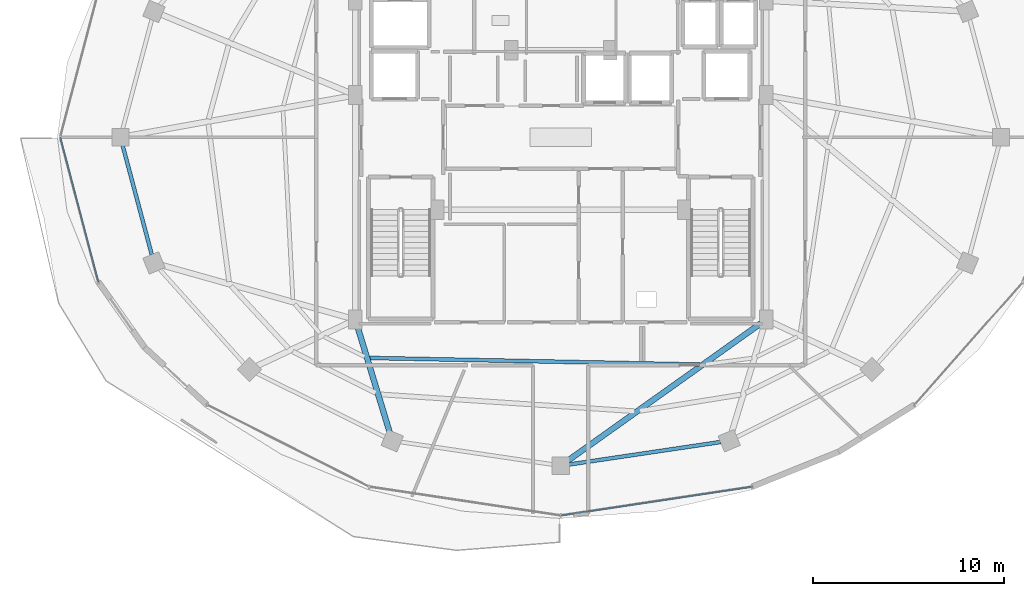
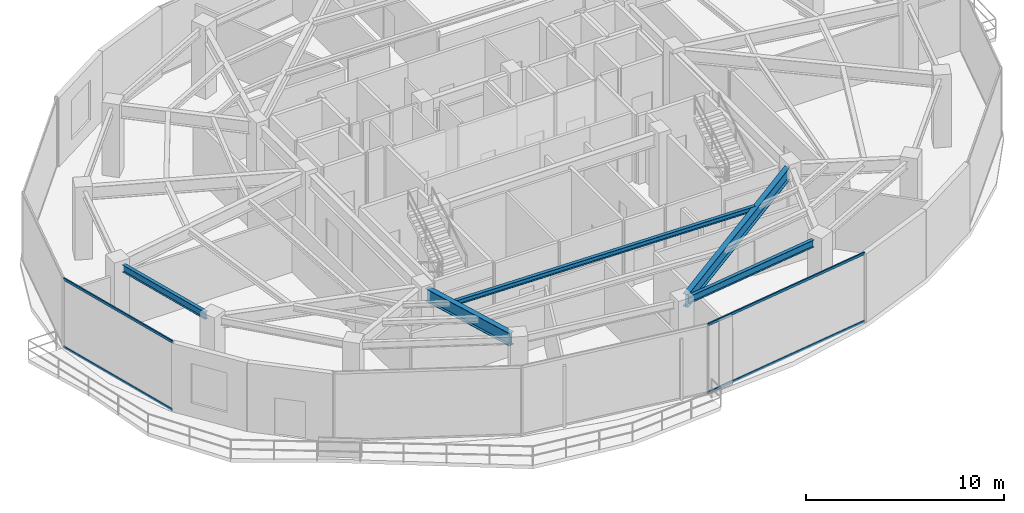
# One storey, part 6 of 27: 5 beams, 4 members, 2 elements without a shape of their own.
"""IFC4 building model written with IfcOpenShell, lengths in metres."""

from ifc_helpers import new_model, si_unit, direction, frame, origin, origin_2d, place, context, subcontext, project, spatial, hollow_rectangle, i_section, extrude, material, material_profile, profile_set, type_object, element, aggregate, save


model = new_model("IFC4")

# Units and contexts
model_context = context("Model", 3, precision=1e-05, world=origin(), true_north=direction((0.0, 1.0)))
body_context = subcontext(model_context, "Body", "Model", "MODEL_VIEW")
ifc_project = project(units=[si_unit("LENGTHUNIT", "METRE"), si_unit("AREAUNIT", "SQUARE_METRE"), si_unit("VOLUMEUNIT", "CUBIC_METRE"), si_unit("PLANEANGLEUNIT", "RADIAN"), si_unit("MASSUNIT", "GRAM", prefix="KILO")], contexts=[model_context])

# Site, building, storey
site_placement = place(None, origin())
site = spatial("IfcSite", under=ifc_project, at=site_placement, CompositionType="ELEMENT")
building_placement = place(site_placement, origin())
building = spatial("IfcBuilding", under=site, at=building_placement, Name="Vorneva Point Tower", CompositionType="ELEMENT")
storey_placement = place(building_placement, frame((0.0, 0.0, 229.75)))
storey = spatial("IfcBuildingStorey", under=building, at=storey_placement, Name="L62", CompositionType="ELEMENT", Elevation=229.75)

# Beams
ifc_material_1 = material(Name="Steel S355", Category="steel")
ifc_material_profile_1 = material_profile(ifc_material_1, i_section(OverallWidth=0.300048828125, OverallDepth=0.7880859375, WebThickness=0.014404296875, FlangeThickness=0.02197265625, at=origin_2d()), Name="80Sh1")
ifc_profile_set_1 = profile_set([ifc_material_profile_1], Name="Steel S355")
beam_type_1 = type_object("IfcBeamType", Name="BM-GRD-80Sh1", PredefinedType="USERDEFINED", material=ifc_profile_set_1)
beam_1_placement = place(storey_placement, frame((29.051513671875, 10.5283203125, 3.845947265625), z_axis=(-0.291025429135, 0.956715317948, 0.0), x_axis=(-0.956715317948, -0.291025429135, 0.0)))
element("IfcBeam", 1, at=beam_1_placement, inside=storey, type_object=beam_type_1, Name="L62 Radial Primary Girder 12", ObjectType="GIRDER", PredefinedType="USERDEFINED", context=body_context, shape_type="SweptSolid", body=[
    extrude(i_section(OverallWidth=0.300048828125, OverallDepth=0.7880859375, WebThickness=0.014404296875, FlangeThickness=0.02197265625, at=origin_2d()), origin(), (0.0, 0.0, 1.0), 5.849609375),
])
beam_2_placement = place(storey_placement, frame((38.35693359375, 9.053955078125, 3.845947265625), z_axis=(0.814749933852, 0.579812508737, 0.0), x_axis=(-0.579812508737, 0.814749933852, 0.0)))
element("IfcBeam", 2, at=beam_2_placement, inside=storey, type_object=beam_type_1, Name="L62 Radial Primary Girder 13", ObjectType="GIRDER", PredefinedType="USERDEFINED", context=body_context, shape_type="SweptSolid", body=[
    extrude(i_section(OverallWidth=0.300048828125, OverallDepth=0.7880859375, WebThickness=0.014404296875, FlangeThickness=0.02197265625, at=origin_2d()), origin(), (0.0, 0.0, 1.0), 12.416015625),
])
ifc_material_profile_2 = material_profile(ifc_material_1, i_section(OverallWidth=0.199951171875, OverallDepth=0.291015625, WebThickness=0.008056640625, FlangeThickness=0.010986328125, at=origin_2d()), Name="30Sh1")
ifc_profile_set_2 = profile_set([ifc_material_profile_2], Name="Steel S355")
beam_type_2 = type_object("IfcBeamType", Name="BM-SEC-30Sh1", PredefinedType="BEAM", material=ifc_profile_set_2)
beam_3_placement = place(storey_placement, frame((27.997802734375, 14.443115234375, 4.094482421875), z_axis=(0.999798766182, -0.020060586778, 0.0), x_axis=(0.020060586778, 0.999798766182, 0.0)))
element("IfcBeam", 3, at=beam_3_placement, inside=storey, type_object=beam_type_2, Name="L62 Secondary Floor Beam 2.12", PredefinedType="BEAM", context=body_context, shape_type="SweptSolid", body=[
    extrude(i_section(OverallWidth=0.199951171875, OverallDepth=0.291015625, WebThickness=0.008056640625, FlangeThickness=0.010986328125, at=origin_2d()), origin(), (0.0, 0.0, 1.0), 17.305908203125),
])
ifc_material_profile_3 = material_profile(ifc_material_1, i_section(OverallWidth=0.198974609375, OverallDepth=0.446044921875, WebThickness=0.008056640625, FlangeThickness=0.011962890625, at=origin_2d()), Name="45B1")
ifc_profile_set_3 = profile_set([ifc_material_profile_3], Name="Steel S355")
beam_type_3 = type_object("IfcBeamType", Name="BM-SPN-45B1", PredefinedType="SPANDREL", material=ifc_profile_set_3)
beam_4_placement = place(storey_placement, frame((15.06201171875, 25.57958984375, 4.01708984375), z_axis=(0.257578258003, -0.966257440336, 0.0), x_axis=(0.966257440336, 0.257578258003, 0.0)))
element("IfcBeam", 4, at=beam_4_placement, inside=storey, type_object=beam_type_3, Name="L62 Perimeter Spandrel Ring Beam 09", PredefinedType="SPANDREL", context=body_context, shape_type="SweptSolid", body=[
    extrude(i_section(OverallWidth=0.198974609375, OverallDepth=0.446044921875, WebThickness=0.008056640625, FlangeThickness=0.011962890625, at=origin_2d()), origin(), (0.0, 0.0, 1.0), 5.94189453125),
])
beam_5_placement = place(storey_placement, frame((38.430419921875, 8.864013671875, 4.01708984375), z_axis=(0.989165476332, 0.146804837907, 0.0), x_axis=(-0.146804837907, 0.989165476332, 0.0)))
element("IfcBeam", 5, at=beam_5_placement, inside=storey, type_object=beam_type_3, Name="L62 Perimeter Spandrel Ring Beam 13", PredefinedType="SPANDREL", context=body_context, shape_type="SweptSolid", body=[
    extrude(i_section(OverallWidth=0.198974609375, OverallDepth=0.446044921875, WebThickness=0.008056640625, FlangeThickness=0.011962890625, at=origin_2d()), origin(), (0.0, 0.0, 1.0), 8.04736328125),
])

# Curtain wall, members
ifc_material_2 = material(Name="Pale anodised aluminium", Category="aluminium")
curtain_wall_type = type_object("IfcCurtainWallType", Name="CW-SKY-SYS", PredefinedType="NOTDEFINED", material=ifc_material_2)
curtain_wall_1_placement = place(storey_placement, origin())
curtain_wall_1 = element("IfcCurtainWall", 6, at=curtain_wall_1_placement, inside=storey, type_object=curtain_wall_type, Name="L62 Unitised Curtain Wall CW-L62-R03", PredefinedType="NOTDEFINED")
ifc_material_profile_4 = material_profile(ifc_material_2, hollow_rectangle(XDim=0.074951171875, YDim=0.14990234375, WallThickness=0.00390625, at=origin_2d()), Name="AL-TRN 150x75x4")
ifc_profile_set_4 = profile_set([ifc_material_profile_4], Name="Pale anodised aluminium")
member_type = type_object("IfcMemberType", Name="CW-TRN-150", PredefinedType="USERDEFINED", material=ifc_profile_set_4)
member_1_placement = place(storey_placement, frame((11.800048828125, 26.0, 0.02001953125), z_axis=(0.254418180926, -0.967094302131, 0.0), x_axis=(0.967094302131, 0.254418180926, 0.0)))
member_1 = element("IfcMember", 7, at=member_1_placement, type_object=member_type, Name="CW-L62-R03 Transom 03.1", ObjectType="TRANSOM", PredefinedType="USERDEFINED", context=body_context, shape_type="SweptSolid", body=[
    extrude(hollow_rectangle(XDim=0.074951171875, YDim=0.14990234375, WallThickness=0.00390625, at=origin_2d()), origin(), (0.0, 0.0, 1.0), 7.839111328125),
])
member_2_placement = place(storey_placement, frame((11.800048828125, 26.0, 4.219970703125), z_axis=(0.254418180926, -0.967094302131, 0.0), x_axis=(0.967094302131, 0.254418180926, 0.0)))
member_2 = element("IfcMember", 8, at=member_2_placement, type_object=member_type, Name="CW-L62-R03 Transom 03.2", ObjectType="TRANSOM", PredefinedType="USERDEFINED", context=body_context, shape_type="SweptSolid", body=[
    extrude(hollow_rectangle(XDim=0.074951171875, YDim=0.14990234375, WallThickness=0.00390625, at=origin_2d()), origin(), (0.0, 0.0, 1.0), 7.839111328125),
])
aggregate(curtain_wall_1, [member_1, member_2])

curtain_wall_2_placement = place(storey_placement, origin())
curtain_wall_2 = element("IfcCurtainWall", 9, at=curtain_wall_2_placement, inside=storey, type_object=curtain_wall_type, Name="L62 Unitised Curtain Wall CW-L62-R04", PredefinedType="NOTDEFINED")
member_3_placement = place(storey_placement, frame((38.0, 6.18994140625, 0.02001953125), z_axis=(0.988876929856, 0.148736066907, 0.0), x_axis=(-0.148736066907, 0.988876929856, 0.0)))
member_3 = element("IfcMember", 10, at=member_3_placement, type_object=member_type, Name="CW-L62-R04 Transom 03.1", ObjectType="TRANSOM", PredefinedType="USERDEFINED", context=body_context, shape_type="SweptSolid", body=[
    extrude(hollow_rectangle(XDim=0.074951171875, YDim=0.14990234375, WallThickness=0.00390625, at=origin_2d()), origin(), (0.0, 0.0, 1.0), 10.13916015625),
])
member_4_placement = place(storey_placement, frame((38.0, 6.18994140625, 4.219970703125), z_axis=(0.988876929856, 0.148736066907, 0.0), x_axis=(-0.148736066907, 0.988876929856, 0.0)))
member_4 = element("IfcMember", 11, at=member_4_placement, type_object=member_type, Name="CW-L62-R04 Transom 03.2", ObjectType="TRANSOM", PredefinedType="USERDEFINED", context=body_context, shape_type="SweptSolid", body=[
    extrude(hollow_rectangle(XDim=0.074951171875, YDim=0.14990234375, WallThickness=0.00390625, at=origin_2d()), origin(), (0.0, 0.0, 1.0), 10.13916015625),
])
aggregate(curtain_wall_2, [member_3, member_4])

save(model, "model.ifc")
